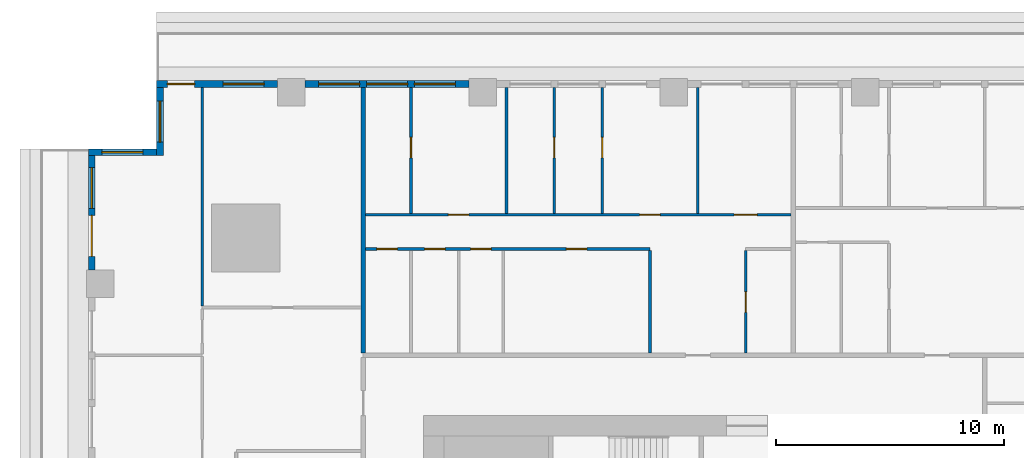
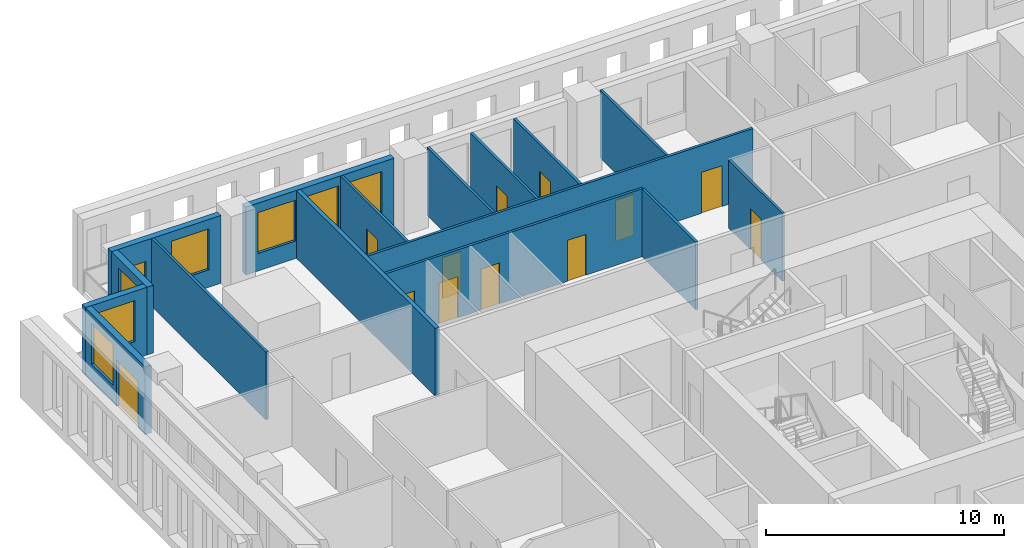
# One storey, part 7 of 15: 16 walls, 13 doors, 7 windows, 20 openings.
"""IFC4 building model written with IfcOpenShell, lengths in metres."""

from ifc_helpers import new_model, si_unit, direction, frame, frame_2d, origin, place, context, subcontext, project, spatial, rectangle, extrude, material, layer, layer_set, type_object, element, fill, save


model = new_model("IFC4")

# Units and contexts
model_context = context("Model", 3, precision=1e-05, world=origin(), true_north=direction((0.0, 1.0)))
body_context = subcontext(model_context, "Body", "Model", "MODEL_VIEW")
ifc_project = project(units=[si_unit("LENGTHUNIT", "METRE"), si_unit("AREAUNIT", "SQUARE_METRE"), si_unit("VOLUMEUNIT", "CUBIC_METRE"), si_unit("PLANEANGLEUNIT", "RADIAN"), si_unit("MASSUNIT", "GRAM", prefix="KILO")], contexts=[model_context])

# Site, building, storey
site_placement = place(None, origin())
site = spatial("IfcSite", under=ifc_project, at=site_placement, CompositionType="ELEMENT")
building_placement = place(site_placement, origin())
building = spatial("IfcBuilding", under=site, at=building_placement, Name="Khepri Terraces", CompositionType="ELEMENT")
storey_placement = place(building_placement, frame((0.0, 0.0, 42.60009765625)))
storey = spatial("IfcBuildingStorey", under=building, at=storey_placement, Name="L09", CompositionType="ELEMENT", Elevation=42.60009765625)

# Wall
ifc_material_1 = material(Name="Fire-rated gypsum plasterboard partition, mineral wool")
ifc_layer_1 = layer(ifc_material_1, 0.199951171875, Name="Fire-rated gypsum plasterboard partition, mineral wool")
ifc_layer_set_1 = layer_set([ifc_layer_1], Name="Fire-rated gypsum plasterboard partition, mineral wool")
wall_type_1 = type_object("IfcWallType", Name="WL-CORR-200", PredefinedType="PARTITIONING", material=ifc_layer_set_1)
wall_1_placement = place(storey_placement, frame((-13.64990234375, 13.75, 0.0), z_axis=(0.0, 0.0, 1.0), x_axis=(0.0, 1.0, 0.0)))
element("IfcWall", 1, at=wall_1_placement, inside=storey, type_object=wall_type_1, Name="Partition P-071 L09", PredefinedType="PARTITIONING", context=body_context, shape_type="SweptSolid", body=[
    extrude(rectangle(XDim=11.669921875, YDim=0.199951171875, at=frame_2d((5.8349609375, 0.0))), origin(), (0.0, 0.0, 1.0), 3.47998046875),
])

# Wall, openings, windows
ifc_material_2 = material(Name="Precast concrete C50/60 warm stone", Category="masonry")
ifc_layer_2 = layer(ifc_material_2, 0.300048828125, Name="Precast concrete C50/60 warm stone", Category="masonry")
ifc_layer_set_2 = layer_set([ifc_layer_2], Name="Precast concrete C50/60 warm stone")
wall_type_2 = type_object("IfcWallType", Name="WL-EXT-PRECAST-300", PredefinedType="STANDARD", material=ifc_layer_set_2)
wall_2_placement = place(storey_placement, frame((-9.0, 25.570068359375, 0.0), z_axis=(0.0, 0.0, 1.0), x_axis=(-1.0, 0.0, 0.0)))
wall_2 = element("IfcWall", 2, at=wall_2_placement, inside=storey, type_object=wall_type_2, Name="External wall L09 N", PredefinedType="STANDARD", context=body_context, shape_type="SweptSolid", body=[
    extrude(rectangle(XDim=7.199951171875, YDim=0.300048828125, at=frame_2d((3.60009765625, 0.0))), origin(), (0.0, 0.0, 1.0), 3.47998046875),
])
opening_1_placement = place(wall_2_placement, frame((0.60009765625, 0.0, 0.89990234375)))
opening_1 = element("IfcOpeningElement", 3, at=opening_1_placement, cuts=wall_2, Name="Opening W1", PredefinedType="OPENING", context=body_context, shape_type="SweptSolid", body=[
    extrude(rectangle(XDim=1.800048828125, YDim=2.10009765625, at=frame_2d((0.89990234375, 1.050048828125))), frame((0.0, 0.16015625, 0.0), z_axis=(0.0, -1.0, 0.0), x_axis=(1.0, 0.0, 0.0)), (0.0, 0.0, 1.0), 0.320068359375),
])
opening_2_placement = place(wall_2_placement, frame((2.699951171875, 0.0, 0.89990234375)))
opening_2 = element("IfcOpeningElement", 4, at=opening_2_placement, cuts=wall_2, Name="Opening W1", PredefinedType="OPENING", context=body_context, shape_type="SweptSolid", body=[
    extrude(rectangle(XDim=1.800048828125, YDim=2.10009765625, at=frame_2d((0.89990234375, 1.050048828125))), frame((0.0, 0.16015625, 0.0), z_axis=(0.0, -1.0, 0.0), x_axis=(1.0, 0.0, 0.0)), (0.0, 0.0, 1.0), 0.320068359375),
])
opening_3_placement = place(wall_2_placement, frame((4.800048828125, 0.0, 0.89990234375)))
opening_3 = element("IfcOpeningElement", 5, at=opening_3_placement, cuts=wall_2, Name="Opening W1", PredefinedType="OPENING", context=body_context, shape_type="SweptSolid", body=[
    extrude(rectangle(XDim=1.800048828125, YDim=2.10009765625, at=frame_2d((0.89990234375, 1.050048828125))), frame((0.0, 0.16015625, 0.0), z_axis=(0.0, -1.0, 0.0), x_axis=(1.0, 0.0, 0.0)), (0.0, 0.0, 1.0), 0.320068359375),
])
ifc_material_3 = material(Name="Clear glass", Category="glass")
window_type = type_object("IfcWindowType", Name="WIN-RES-1800x2100", PartitioningType="SINGLE_PANEL", PredefinedType="WINDOW", material=ifc_material_3)
window_1_placement = place(opening_1_placement, origin())
window_1 = element("IfcWindow", 6, at=window_1_placement, inside=storey, type_object=window_type, Name="Window L09 N", OverallHeight=2.10009765625, OverallWidth=1.800048828125, PartitioningType="SINGLE_PANEL", PredefinedType="WINDOW", context=body_context, shape_type="SweptSolid", body=[
    extrude(rectangle(XDim=1.800048828125, YDim=2.10009765625, at=frame_2d((0.89990234375, 1.050048828125))), frame((0.0, 0.030029296875, 0.0), z_axis=(0.0, -1.0, 0.0), x_axis=(1.0, 0.0, 0.0)), (0.0, 0.0, 1.0), 0.06005859375),
])
fill(opening_1, window_1)
window_2_placement = place(opening_2_placement, origin())
window_2 = element("IfcWindow", 7, at=window_2_placement, inside=storey, type_object=window_type, Name="Window L09 N", OverallHeight=2.10009765625, OverallWidth=1.800048828125, PartitioningType="SINGLE_PANEL", PredefinedType="WINDOW", context=body_context, shape_type="SweptSolid", body=[
    extrude(rectangle(XDim=1.800048828125, YDim=2.10009765625, at=frame_2d((0.89990234375, 1.050048828125))), frame((0.0, 0.030029296875, 0.0), z_axis=(0.0, -1.0, 0.0), x_axis=(1.0, 0.0, 0.0)), (0.0, 0.0, 1.0), 0.06005859375),
])
fill(opening_2, window_2)
window_3_placement = place(opening_3_placement, origin())
window_3 = element("IfcWindow", 8, at=window_3_placement, inside=storey, type_object=window_type, Name="Window L09 N", OverallHeight=2.10009765625, OverallWidth=1.800048828125, PartitioningType="SINGLE_PANEL", PredefinedType="WINDOW", context=body_context, shape_type="SweptSolid", body=[
    extrude(rectangle(XDim=1.800048828125, YDim=2.10009765625, at=frame_2d((0.89990234375, 1.050048828125))), frame((0.0, 0.030029296875, 0.0), z_axis=(0.0, -1.0, 0.0), x_axis=(1.0, 0.0, 0.0)), (0.0, 0.0, 1.0), 0.06005859375),
])
fill(opening_3, window_3)

# Wall, openings, door, window
wall_3_placement = place(storey_placement, frame((-17.39990234375, 25.570068359375, 0.0), z_axis=(0.0, 0.0, 1.0), x_axis=(-1.0, 0.0, 0.0)))
wall_3 = element("IfcWall", 9, at=wall_3_placement, inside=storey, type_object=wall_type_2, Name="External wall L09 N", PredefinedType="STANDARD", context=body_context, shape_type="SweptSolid", body=[
    extrude(rectangle(XDim=5.320068359375, YDim=0.300048828125, at=frame_2d((2.66015625, 0.0))), origin(), (0.0, 0.0, 1.0), 3.47998046875),
])
opening_4_placement = place(wall_3_placement, frame((0.60009765625, 0.0, 0.89990234375)))
opening_4 = element("IfcOpeningElement", 10, at=opening_4_placement, cuts=wall_3, Name="Opening W1", PredefinedType="OPENING", context=body_context, shape_type="SweptSolid", body=[
    extrude(rectangle(XDim=1.800048828125, YDim=2.10009765625, at=frame_2d((0.89990234375, 1.050048828125))), frame((0.0, 0.16015625, 0.0), z_axis=(0.0, -1.0, 0.0), x_axis=(1.0, 0.0, 0.0)), (0.0, 0.0, 1.0), 0.320068359375),
])
opening_5_placement = place(wall_3_placement, frame((3.64501953125, 0.0, 0.0)))
opening_5 = element("IfcOpeningElement", 11, at=opening_5_placement, cuts=wall_3, Name="Opening ED-L09-11", PredefinedType="OPENING", context=body_context, shape_type="SweptSolid", body=[
    extrude(rectangle(XDim=1.199951171875, YDim=2.39990234375, at=frame_2d((0.60009765625, 1.199951171875))), frame((0.0, 0.16015625, 0.0), z_axis=(0.0, -1.0, 0.0), x_axis=(1.0, 0.0, 0.0)), (0.0, 0.0, 1.0), 0.320068359375),
])
ifc_material_4 = material(Name="Anodised aluminium bronze glazed door", Category="aluminium")
door_type_1 = type_object("IfcDoorType", Name="DR-BAL-SLIDE-1200x2400", OperationType="NOTDEFINED", PredefinedType="DOOR", material=ifc_material_4)
door_1_placement = place(opening_5_placement, origin())
door_1 = element("IfcDoor", 12, at=door_1_placement, inside=storey, type_object=door_type_1, Name="Balcony door L09 N", OperationType="SLIDING_TO_RIGHT", OverallHeight=2.39990234375, OverallWidth=1.199951171875, PredefinedType="DOOR", context=body_context, shape_type="SweptSolid", body=[
    extrude(rectangle(XDim=1.199951171875, YDim=2.39990234375, at=frame_2d((0.60009765625, 1.199951171875))), frame((0.0, 0.02490234375, 0.0), z_axis=(0.0, -1.0, 0.0), x_axis=(1.0, 0.0, 0.0)), (0.0, 0.0, 1.0), 0.050048828125),
])
fill(opening_5, door_1)
window_4_placement = place(opening_4_placement, origin())
window_4 = element("IfcWindow", 13, at=window_4_placement, inside=storey, type_object=window_type, Name="Window L09 N", OverallHeight=2.10009765625, OverallWidth=1.800048828125, PartitioningType="SINGLE_PANEL", PredefinedType="WINDOW", context=body_context, shape_type="SweptSolid", body=[
    extrude(rectangle(XDim=1.800048828125, YDim=2.10009765625, at=frame_2d((0.89990234375, 1.050048828125))), frame((0.0, 0.030029296875, 0.0), z_axis=(0.0, -1.0, 0.0), x_axis=(1.0, 0.0, 0.0)), (0.0, 0.0, 1.0), 0.06005859375),
])
fill(opening_4, window_4)

# Wall, opening, window
wall_4_placement = place(storey_placement, frame((-22.570068359375, 25.419921875, 0.0), z_axis=(0.0, 0.0, 1.0), x_axis=(0.0, -1.0, 0.0)))
wall_4 = element("IfcWall", 14, at=wall_4_placement, inside=storey, type_object=wall_type_2, Name="External wall L09 W", PredefinedType="STANDARD", context=body_context, shape_type="SweptSolid", body=[
    extrude(rectangle(XDim=3.0, YDim=0.300048828125, at=frame_2d((1.5, 0.0))), origin(), (0.0, 0.0, 1.0), 3.47998046875),
])
opening_6_placement = place(wall_4_placement, frame((0.60009765625, 0.0, 0.89990234375)))
opening_6 = element("IfcOpeningElement", 15, at=opening_6_placement, cuts=wall_4, Name="Opening W1", PredefinedType="OPENING", context=body_context, shape_type="SweptSolid", body=[
    extrude(rectangle(XDim=1.800048828125, YDim=2.10009765625, at=frame_2d((0.89990234375, 1.050048828125))), frame((0.0, 0.16015625, 0.0), z_axis=(0.0, -1.0, 0.0), x_axis=(1.0, 0.0, 0.0)), (0.0, 0.0, 1.0), 0.320068359375),
])
window_5_placement = place(opening_6_placement, origin())
window_5 = element("IfcWindow", 16, at=window_5_placement, inside=storey, type_object=window_type, Name="Window L09 W", OverallHeight=2.10009765625, OverallWidth=1.800048828125, PartitioningType="SINGLE_PANEL", PredefinedType="WINDOW", context=body_context, shape_type="SweptSolid", body=[
    extrude(rectangle(XDim=1.800048828125, YDim=2.10009765625, at=frame_2d((0.89990234375, 1.050048828125))), frame((0.0, 0.030029296875, 0.0), z_axis=(0.0, -1.0, 0.0), x_axis=(1.0, 0.0, 0.0)), (0.0, 0.0, 1.0), 0.06005859375),
])
fill(opening_6, window_5)

wall_5_placement = place(storey_placement, frame((-22.719970703125, 22.570068359375, 0.0), z_axis=(0.0, 0.0, 1.0), x_axis=(-1.0, 0.0, 0.0)))
wall_5 = element("IfcWall", 17, at=wall_5_placement, inside=storey, type_object=wall_type_2, Name="External wall L09 N", PredefinedType="STANDARD", context=body_context, shape_type="SweptSolid", body=[
    extrude(rectangle(XDim=3.0, YDim=0.300048828125, at=frame_2d((1.5, 0.0))), origin(), (0.0, 0.0, 1.0), 3.47998046875),
])
opening_7_placement = place(wall_5_placement, frame((0.60009765625, 0.0, 0.89990234375)))
opening_7 = element("IfcOpeningElement", 18, at=opening_7_placement, cuts=wall_5, Name="Opening W1", PredefinedType="OPENING", context=body_context, shape_type="SweptSolid", body=[
    extrude(rectangle(XDim=1.800048828125, YDim=2.10009765625, at=frame_2d((0.89990234375, 1.050048828125))), frame((0.0, 0.16015625, 0.0), z_axis=(0.0, -1.0, 0.0), x_axis=(1.0, 0.0, 0.0)), (0.0, 0.0, 1.0), 0.320068359375),
])
window_6_placement = place(opening_7_placement, origin())
window_6 = element("IfcWindow", 19, at=window_6_placement, inside=storey, type_object=window_type, Name="Window L09 N", OverallHeight=2.10009765625, OverallWidth=1.800048828125, PartitioningType="SINGLE_PANEL", PredefinedType="WINDOW", context=body_context, shape_type="SweptSolid", body=[
    extrude(rectangle(XDim=1.800048828125, YDim=2.10009765625, at=frame_2d((0.89990234375, 1.050048828125))), frame((0.0, 0.030029296875, 0.0), z_axis=(0.0, -1.0, 0.0), x_axis=(1.0, 0.0, 0.0)), (0.0, 0.0, 1.0), 0.06005859375),
])
fill(opening_7, window_6)

# Wall, openings, door, window
wall_6_placement = place(storey_placement, frame((-25.570068359375, 22.419921875, 0.0), z_axis=(0.0, 0.0, 1.0), x_axis=(0.0, -1.0, 0.0)))
wall_6 = element("IfcWall", 20, at=wall_6_placement, inside=storey, type_object=wall_type_2, Name="External wall L09 W", PredefinedType="STANDARD", context=body_context, shape_type="SweptSolid", body=[
    extrude(rectangle(XDim=5.02001953125, YDim=0.300048828125, at=frame_2d((2.510009765625, 0.0))), origin(), (0.0, 0.0, 1.0), 3.47998046875),
])
opening_8_placement = place(wall_6_placement, frame((0.52001953125, 0.0, 0.89990234375)))
opening_8 = element("IfcOpeningElement", 21, at=opening_8_placement, cuts=wall_6, Name="Opening W1", PredefinedType="OPENING", context=body_context, shape_type="SweptSolid", body=[
    extrude(rectangle(XDim=1.800048828125, YDim=2.10009765625, at=frame_2d((0.89990234375, 1.050048828125))), frame((0.0, 0.16015625, 0.0), z_axis=(0.0, -1.0, 0.0), x_axis=(1.0, 0.0, 0.0)), (0.0, 0.0, 1.0), 0.320068359375),
])
opening_9_placement = place(wall_6_placement, frame((2.6201171875, 0.0, 0.0)))
opening_9 = element("IfcOpeningElement", 22, at=opening_9_placement, cuts=wall_6, Name="Opening ED-L09-12", PredefinedType="OPENING", context=body_context, shape_type="SweptSolid", body=[
    extrude(rectangle(XDim=1.800048828125, YDim=2.39990234375, at=frame_2d((0.89990234375, 1.199951171875))), frame((0.0, 0.16015625, 0.0), z_axis=(0.0, -1.0, 0.0), x_axis=(1.0, 0.0, 0.0)), (0.0, 0.0, 1.0), 0.320068359375),
])
door_type_2 = type_object("IfcDoorType", Name="DR-BAL-SLIDE-1800x2400", OperationType="NOTDEFINED", PredefinedType="DOOR", material=ifc_material_4)
door_2_placement = place(opening_9_placement, origin())
door_2 = element("IfcDoor", 23, at=door_2_placement, inside=storey, type_object=door_type_2, Name="Balcony door L09 W", OperationType="SLIDING_TO_RIGHT", OverallHeight=2.39990234375, OverallWidth=1.800048828125, PredefinedType="DOOR", context=body_context, shape_type="SweptSolid", body=[
    extrude(rectangle(XDim=1.800048828125, YDim=2.39990234375, at=frame_2d((0.89990234375, 1.199951171875))), frame((0.0, 0.02490234375, 0.0), z_axis=(0.0, -1.0, 0.0), x_axis=(1.0, 0.0, 0.0)), (0.0, 0.0, 1.0), 0.050048828125),
])
fill(opening_9, door_2)
window_7_placement = place(opening_8_placement, origin())
window_7 = element("IfcWindow", 24, at=window_7_placement, inside=storey, type_object=window_type, Name="Window L09 W", OverallHeight=2.10009765625, OverallWidth=1.800048828125, PartitioningType="SINGLE_PANEL", PredefinedType="WINDOW", context=body_context, shape_type="SweptSolid", body=[
    extrude(rectangle(XDim=1.800048828125, YDim=2.10009765625, at=frame_2d((0.89990234375, 1.050048828125))), frame((0.0, 0.030029296875, 0.0), z_axis=(0.0, -1.0, 0.0), x_axis=(1.0, 0.0, 0.0)), (0.0, 0.0, 1.0), 0.06005859375),
])
fill(opening_8, window_7)

# Wall
ifc_material_5 = material(Name="Gypsum plasterboard partition")
ifc_layer_3 = layer(ifc_material_5, 0.1201171875, Name="Gypsum plasterboard partition")
ifc_layer_set_3 = layer_set([ifc_layer_3], Name="Gypsum plasterboard partition")
wall_type_3 = type_object("IfcWallType", Name="WL-PART-120", PredefinedType="PARTITIONING", material=ifc_layer_set_3)
wall_7_placement = place(storey_placement, frame((-1.050048828125, 13.75, 0.0), z_axis=(0.0, 0.0, 1.0), x_axis=(0.0, 1.0, 0.0)))
element("IfcWall", 25, at=wall_7_placement, inside=storey, type_object=wall_type_3, Name="Partition P-075 L09", PredefinedType="PARTITIONING", context=body_context, shape_type="SweptSolid", body=[
    extrude(rectangle(XDim=4.510009765625, YDim=0.1201171875, at=frame_2d((2.2548828125, 0.0))), origin(), (0.0, 0.0, 1.0), 3.47998046875),
])

# Wall, opening, door
wall_8_placement = place(storey_placement, frame((3.14990234375, 13.75, 0.0), z_axis=(0.0, 0.0, 1.0), x_axis=(0.0, 1.0, 0.0)))
wall_8 = element("IfcWall", 26, at=wall_8_placement, inside=storey, type_object=wall_type_3, Name="Partition P-076 L09", PredefinedType="PARTITIONING", context=body_context, shape_type="SweptSolid", body=[
    extrude(rectangle(XDim=4.510009765625, YDim=0.1201171875, at=frame_2d((2.2548828125, 0.0))), origin(), (0.0, 0.0, 1.0), 3.47998046875),
])
opening_10_placement = place(wall_8_placement, frame((1.784912109375, 0.0, 0.0)))
opening_10 = element("IfcOpeningElement", 27, at=opening_10_placement, cuts=wall_8, Name="Opening D3", PredefinedType="OPENING", context=body_context, shape_type="SweptSolid", body=[
    extrude(rectangle(XDim=0.89990234375, YDim=2.10009765625, at=frame_2d((0.449951171875, 1.050048828125))), frame((0.0, 0.070068359375, 0.0), z_axis=(0.0, -1.0, 0.0), x_axis=(1.0, 0.0, 0.0)), (0.0, 0.0, 1.0), 0.14013671875),
])
ifc_material_6 = material(Name="Timber door leaf", Category="wood")
door_type_3 = type_object("IfcDoorType", Name="DR-INT-900", OperationType="NOTDEFINED", PredefinedType="DOOR", material=ifc_material_6)
door_3_placement = place(opening_10_placement, frame((0.89990234375, 0.0, 0.0), z_axis=(0.0, 0.0, 1.0), x_axis=(-1.0, 0.0, 0.0)))
door_3 = element("IfcDoor", 28, at=door_3_placement, inside=storey, type_object=door_type_3, Name="Door Utility Room", OperationType="SINGLE_SWING_RIGHT", OverallHeight=2.10009765625, OverallWidth=0.89990234375, PredefinedType="DOOR", context=body_context, shape_type="SweptSolid", body=[
    extrude(rectangle(XDim=0.89990234375, YDim=2.10009765625, at=frame_2d((0.449951171875, 1.050048828125))), frame((0.0, 0.02490234375, 0.0), z_axis=(0.0, -1.0, 0.0), x_axis=(1.0, 0.0, 0.0)), (0.0, 0.0, 1.0), 0.050048828125),
])
fill(opening_10, door_3)

# Wall
wall_9_placement = place(storey_placement, frame((-20.719970703125, 15.81005859375, 0.0), z_axis=(0.0, 0.0, 1.0), x_axis=(0.0, 1.0, 0.0)))
element("IfcWall", 29, at=wall_9_placement, inside=storey, type_object=wall_type_3, Name="Partition P-082 L09", PredefinedType="PARTITIONING", context=body_context, shape_type="SweptSolid", body=[
    extrude(rectangle(XDim=9.60986328125, YDim=0.1201171875, at=frame_2d((4.804931640625, 0.0))), origin(), (0.0, 0.0, 1.0), 3.47998046875),
])

# Wall, openings, doors
wall_10_placement = place(storey_placement, frame((-13.550048828125, 18.320068359375, 0.0), z_axis=(0.0, 0.0, 1.0), x_axis=(1.0, 0.0, 0.0)))
wall_10 = element("IfcWall", 30, at=wall_10_placement, inside=storey, type_object=wall_type_3, Name="Partition P-083 L09", PredefinedType="PARTITIONING", context=body_context, shape_type="SweptSolid", body=[
    extrude(rectangle(XDim=12.5, YDim=0.1201171875, at=frame_2d((6.25, 0.0))), origin(), (0.0, 0.0, 1.0), 3.47998046875),
])
opening_11_placement = place(wall_10_placement, frame((8.824951171875, 0.0, 0.0)))
opening_11 = element("IfcOpeningElement", 31, at=opening_11_placement, cuts=wall_10, Name="Opening D3", PredefinedType="OPENING", context=body_context, shape_type="SweptSolid", body=[
    extrude(rectangle(XDim=0.89990234375, YDim=2.10009765625, at=frame_2d((0.449951171875, 1.050048828125))), frame((0.0, 0.070068359375, 0.0), z_axis=(0.0, -1.0, 0.0), x_axis=(1.0, 0.0, 0.0)), (0.0, 0.0, 1.0), 0.14013671875),
])
opening_12_placement = place(wall_10_placement, frame((4.625, 0.0, 0.0)))
opening_12 = element("IfcOpeningElement", 32, at=opening_12_placement, cuts=wall_10, Name="Opening D4", PredefinedType="OPENING", context=body_context, shape_type="SweptSolid", body=[
    extrude(rectangle(XDim=0.89990234375, YDim=2.10009765625, at=frame_2d((0.449951171875, 1.050048828125))), frame((0.0, 0.070068359375, 0.0), z_axis=(0.0, -1.0, 0.0), x_axis=(1.0, 0.0, 0.0)), (0.0, 0.0, 1.0), 0.14013671875),
])
opening_13_placement = place(wall_10_placement, frame((2.60009765625, 0.0, 0.0)))
opening_13 = element("IfcOpeningElement", 33, at=opening_13_placement, cuts=wall_10, Name="Opening D4", PredefinedType="OPENING", context=body_context, shape_type="SweptSolid", body=[
    extrude(rectangle(XDim=0.89990234375, YDim=2.10009765625, at=frame_2d((0.449951171875, 1.050048828125))), frame((0.0, 0.070068359375, 0.0), z_axis=(0.0, -1.0, 0.0), x_axis=(1.0, 0.0, 0.0)), (0.0, 0.0, 1.0), 0.14013671875),
])
opening_14_placement = place(wall_10_placement, frame((0.5, 0.0, 0.0)))
opening_14 = element("IfcOpeningElement", 34, at=opening_14_placement, cuts=wall_10, Name="Opening D3", PredefinedType="OPENING", context=body_context, shape_type="SweptSolid", body=[
    extrude(rectangle(XDim=0.89990234375, YDim=2.10009765625, at=frame_2d((0.449951171875, 1.050048828125))), frame((0.0, 0.070068359375, 0.0), z_axis=(0.0, -1.0, 0.0), x_axis=(1.0, 0.0, 0.0)), (0.0, 0.0, 1.0), 0.14013671875),
])
door_4_placement = place(opening_11_placement, frame((0.89990234375, 0.0, 0.0), z_axis=(0.0, 0.0, 1.0), x_axis=(-1.0, 0.0, 0.0)))
door_4 = element("IfcDoor", 35, at=door_4_placement, inside=storey, type_object=door_type_3, Name="Door Kitchen", OperationType="SINGLE_SWING_LEFT", OverallHeight=2.10009765625, OverallWidth=0.89990234375, PredefinedType="DOOR", context=body_context, shape_type="SweptSolid", body=[
    extrude(rectangle(XDim=0.89990234375, YDim=2.10009765625, at=frame_2d((0.449951171875, 1.050048828125))), frame((0.0, 0.02490234375, 0.0), z_axis=(0.0, -1.0, 0.0), x_axis=(1.0, 0.0, 0.0)), (0.0, 0.0, 1.0), 0.050048828125),
])
fill(opening_11, door_4)
door_5_placement = place(opening_14_placement, frame((0.89990234375, 0.0, 0.0), z_axis=(0.0, 0.0, 1.0), x_axis=(-1.0, 0.0, 0.0)))
door_5 = element("IfcDoor", 36, at=door_5_placement, inside=storey, type_object=door_type_3, Name="Door Utility Room", OperationType="SINGLE_SWING_RIGHT", OverallHeight=2.10009765625, OverallWidth=0.89990234375, PredefinedType="DOOR", context=body_context, shape_type="SweptSolid", body=[
    extrude(rectangle(XDim=0.89990234375, YDim=2.10009765625, at=frame_2d((0.449951171875, 1.050048828125))), frame((0.0, 0.02490234375, 0.0), z_axis=(0.0, -1.0, 0.0), x_axis=(1.0, 0.0, 0.0)), (0.0, 0.0, 1.0), 0.050048828125),
])
fill(opening_14, door_5)
ifc_material_7 = material(Name="Timber door leaf, moisture resistant", Category="wood")
door_type_4 = type_object("IfcDoorType", Name="DR-WET-900", OperationType="NOTDEFINED", PredefinedType="DOOR", material=ifc_material_7)
door_6_placement = place(opening_12_placement, frame((0.89990234375, 0.0, 0.0), z_axis=(0.0, 0.0, 1.0), x_axis=(-1.0, 0.0, 0.0)))
door_6 = element("IfcDoor", 37, at=door_6_placement, inside=storey, type_object=door_type_4, Name="Door Powder Room", OperationType="SINGLE_SWING_RIGHT", OverallHeight=2.10009765625, OverallWidth=0.89990234375, PredefinedType="DOOR", context=body_context, shape_type="SweptSolid", body=[
    extrude(rectangle(XDim=0.89990234375, YDim=2.10009765625, at=frame_2d((0.449951171875, 1.050048828125))), frame((0.0, 0.02490234375, 0.0), z_axis=(0.0, -1.0, 0.0), x_axis=(1.0, 0.0, 0.0)), (0.0, 0.0, 1.0), 0.050048828125),
])
fill(opening_12, door_6)
door_7_placement = place(opening_13_placement, frame((0.89990234375, 0.0, 0.0), z_axis=(0.0, 0.0, 1.0), x_axis=(-1.0, 0.0, 0.0)))
door_7 = element("IfcDoor", 38, at=door_7_placement, inside=storey, type_object=door_type_4, Name="Door Guest Bathroom", OperationType="SINGLE_SWING_RIGHT", OverallHeight=2.10009765625, OverallWidth=0.89990234375, PredefinedType="DOOR", context=body_context, shape_type="SweptSolid", body=[
    extrude(rectangle(XDim=0.89990234375, YDim=2.10009765625, at=frame_2d((0.449951171875, 1.050048828125))), frame((0.0, 0.02490234375, 0.0), z_axis=(0.0, -1.0, 0.0), x_axis=(1.0, 0.0, 0.0)), (0.0, 0.0, 1.0), 0.050048828125),
])
fill(opening_13, door_7)

wall_11_placement = place(storey_placement, frame((-13.550048828125, 19.820068359375, 0.0), z_axis=(0.0, 0.0, 1.0), x_axis=(1.0, 0.0, 0.0)))
wall_11 = element("IfcWall", 39, at=wall_11_placement, inside=storey, type_object=wall_type_3, Name="Partition P-086 L09", PredefinedType="PARTITIONING", context=body_context, shape_type="SweptSolid", body=[
    extrude(rectangle(XDim=18.699951171875, YDim=0.1201171875, at=frame_2d((9.35009765625, 0.0))), origin(), (0.0, 0.0, 1.0), 3.47998046875),
])
opening_15_placement = place(wall_11_placement, frame((16.199951171875, 0.0, 0.0)))
opening_15 = element("IfcOpeningElement", 40, at=opening_15_placement, cuts=wall_11, Name="Opening D2", PredefinedType="OPENING", context=body_context, shape_type="SweptSolid", body=[
    extrude(rectangle(XDim=1.0, YDim=2.10009765625, at=frame_2d((0.5, 1.050048828125))), frame((0.0, 0.070068359375, 0.0), z_axis=(0.0, -1.0, 0.0), x_axis=(1.0, 0.0, 0.0)), (0.0, 0.0, 1.0), 0.14013671875),
])
opening_16_placement = place(wall_11_placement, frame((12.050048828125, 0.0, 0.0)))
opening_16 = element("IfcOpeningElement", 41, at=opening_16_placement, cuts=wall_11, Name="Opening D3", PredefinedType="OPENING", context=body_context, shape_type="SweptSolid", body=[
    extrude(rectangle(XDim=0.89990234375, YDim=2.10009765625, at=frame_2d((0.449951171875, 1.050048828125))), frame((0.0, 0.070068359375, 0.0), z_axis=(0.0, -1.0, 0.0), x_axis=(1.0, 0.0, 0.0)), (0.0, 0.0, 1.0), 0.14013671875),
])
opening_17_placement = place(wall_11_placement, frame((3.64990234375, 0.0, 0.0)))
opening_17 = element("IfcOpeningElement", 42, at=opening_17_placement, cuts=wall_11, Name="Opening D3", PredefinedType="OPENING", context=body_context, shape_type="SweptSolid", body=[
    extrude(rectangle(XDim=0.89990234375, YDim=2.10009765625, at=frame_2d((0.449951171875, 1.050048828125))), frame((0.0, 0.070068359375, 0.0), z_axis=(0.0, -1.0, 0.0), x_axis=(1.0, 0.0, 0.0)), (0.0, 0.0, 1.0), 0.14013671875),
])
ifc_material_8 = material(Name="Timber door leaf, living room door", Category="wood")
door_type_5 = type_object("IfcDoorType", Name="DR-INT-1000", OperationType="NOTDEFINED", PredefinedType="DOOR", material=ifc_material_8)
door_8_placement = place(opening_15_placement, origin())
door_8 = element("IfcDoor", 43, at=door_8_placement, inside=storey, type_object=door_type_5, Name="Door Sun Lounge", OperationType="SINGLE_SWING_RIGHT", OverallHeight=2.10009765625, OverallWidth=1.0, PredefinedType="DOOR", context=body_context, shape_type="SweptSolid", body=[
    extrude(rectangle(XDim=1.0, YDim=2.10009765625, at=frame_2d((0.5, 1.050048828125))), frame((0.0, 0.02490234375, 0.0), z_axis=(0.0, -1.0, 0.0), x_axis=(1.0, 0.0, 0.0)), (0.0, 0.0, 1.0), 0.050048828125),
])
fill(opening_15, door_8)
door_9_placement = place(opening_16_placement, origin())
door_9 = element("IfcDoor", 44, at=door_9_placement, inside=storey, type_object=door_type_3, Name="Door Master Bedroom", OperationType="SINGLE_SWING_RIGHT", OverallHeight=2.10009765625, OverallWidth=0.89990234375, PredefinedType="DOOR", context=body_context, shape_type="SweptSolid", body=[
    extrude(rectangle(XDim=0.89990234375, YDim=2.10009765625, at=frame_2d((0.449951171875, 1.050048828125))), frame((0.0, 0.02490234375, 0.0), z_axis=(0.0, -1.0, 0.0), x_axis=(1.0, 0.0, 0.0)), (0.0, 0.0, 1.0), 0.050048828125),
])
fill(opening_16, door_9)
door_10_placement = place(opening_17_placement, origin())
door_10 = element("IfcDoor", 45, at=door_10_placement, inside=storey, type_object=door_type_3, Name="Door Bedroom", OperationType="SINGLE_SWING_LEFT", OverallHeight=2.10009765625, OverallWidth=0.89990234375, PredefinedType="DOOR", context=body_context, shape_type="SweptSolid", body=[
    extrude(rectangle(XDim=0.89990234375, YDim=2.10009765625, at=frame_2d((0.449951171875, 1.050048828125))), frame((0.0, 0.02490234375, 0.0), z_axis=(0.0, -1.0, 0.0), x_axis=(1.0, 0.0, 0.0)), (0.0, 0.0, 1.0), 0.050048828125),
])
fill(opening_17, door_10)

# Wall, opening, door
wall_12_placement = place(storey_placement, frame((-11.550048828125, 19.8798828125, 0.0), z_axis=(0.0, 0.0, 1.0), x_axis=(0.0, 1.0, 0.0)))
wall_12 = element("IfcWall", 46, at=wall_12_placement, inside=storey, type_object=wall_type_3, Name="Partition P-087 L09", PredefinedType="PARTITIONING", context=body_context, shape_type="SweptSolid", body=[
    extrude(rectangle(XDim=5.5400390625, YDim=0.1201171875, at=frame_2d((2.77001953125, 0.0))), origin(), (0.0, 0.0, 1.0), 3.47998046875),
])
opening_18_placement = place(wall_12_placement, frame((2.43994140625, 0.0, 0.0)))
opening_18 = element("IfcOpeningElement", 47, at=opening_18_placement, cuts=wall_12, Name="Opening D4", PredefinedType="OPENING", context=body_context, shape_type="SweptSolid", body=[
    extrude(rectangle(XDim=0.89990234375, YDim=2.10009765625, at=frame_2d((0.449951171875, 1.050048828125))), frame((0.0, 0.070068359375, 0.0), z_axis=(0.0, -1.0, 0.0), x_axis=(1.0, 0.0, 0.0)), (0.0, 0.0, 1.0), 0.14013671875),
])
door_11_placement = place(opening_18_placement, origin())
door_11 = element("IfcDoor", 48, at=door_11_placement, inside=storey, type_object=door_type_4, Name="Door Bathroom", OperationType="SINGLE_SWING_RIGHT", OverallHeight=2.10009765625, OverallWidth=0.89990234375, PredefinedType="DOOR", context=body_context, shape_type="SweptSolid", body=[
    extrude(rectangle(XDim=0.89990234375, YDim=2.10009765625, at=frame_2d((0.449951171875, 1.050048828125))), frame((0.0, 0.02490234375, 0.0), z_axis=(0.0, -1.0, 0.0), x_axis=(1.0, 0.0, 0.0)), (0.0, 0.0, 1.0), 0.050048828125),
])
fill(opening_18, door_11)

# Wall
wall_13_placement = place(storey_placement, frame((-7.35009765625, 19.8798828125, 0.0), z_axis=(0.0, 0.0, 1.0), x_axis=(0.0, 1.0, 0.0)))
element("IfcWall", 49, at=wall_13_placement, inside=storey, type_object=wall_type_3, Name="Partition P-088 L09", PredefinedType="PARTITIONING", context=body_context, shape_type="SweptSolid", body=[
    extrude(rectangle(XDim=5.5400390625, YDim=0.1201171875, at=frame_2d((2.77001953125, 0.0))), origin(), (0.0, 0.0, 1.0), 3.47998046875),
])

# Wall, opening, door
wall_14_placement = place(storey_placement, frame((-5.25, 19.8798828125, 0.0), z_axis=(0.0, 0.0, 1.0), x_axis=(0.0, 1.0, 0.0)))
wall_14 = element("IfcWall", 50, at=wall_14_placement, inside=storey, type_object=wall_type_3, Name="Partition P-089 L09", PredefinedType="PARTITIONING", context=body_context, shape_type="SweptSolid", body=[
    extrude(rectangle(XDim=5.5400390625, YDim=0.1201171875, at=frame_2d((2.77001953125, 0.0))), origin(), (0.0, 0.0, 1.0), 3.47998046875),
])
opening_19_placement = place(wall_14_placement, frame((2.43994140625, 0.0, 0.0)))
opening_19 = element("IfcOpeningElement", 51, at=opening_19_placement, cuts=wall_14, Name="Opening D4", PredefinedType="OPENING", context=body_context, shape_type="SweptSolid", body=[
    extrude(rectangle(XDim=0.89990234375, YDim=2.10009765625, at=frame_2d((0.449951171875, 1.050048828125))), frame((0.0, 0.070068359375, 0.0), z_axis=(0.0, -1.0, 0.0), x_axis=(1.0, 0.0, 0.0)), (0.0, 0.0, 1.0), 0.14013671875),
])
door_12_placement = place(opening_19_placement, origin())
door_12 = element("IfcDoor", 52, at=door_12_placement, inside=storey, type_object=door_type_4, Name="Door Bathroom", OperationType="SINGLE_SWING_RIGHT", OverallHeight=2.10009765625, OverallWidth=0.89990234375, PredefinedType="DOOR", context=body_context, shape_type="SweptSolid", body=[
    extrude(rectangle(XDim=0.89990234375, YDim=2.10009765625, at=frame_2d((0.449951171875, 1.050048828125))), frame((0.0, 0.02490234375, 0.0), z_axis=(0.0, -1.0, 0.0), x_axis=(1.0, 0.0, 0.0)), (0.0, 0.0, 1.0), 0.050048828125),
])
fill(opening_19, door_12)

wall_15_placement = place(storey_placement, frame((-3.14990234375, 19.8798828125, 0.0), z_axis=(0.0, 0.0, 1.0), x_axis=(0.0, 1.0, 0.0)))
wall_15 = element("IfcWall", 53, at=wall_15_placement, inside=storey, type_object=wall_type_3, Name="Partition P-090 L09", PredefinedType="PARTITIONING", context=body_context, shape_type="SweptSolid", body=[
    extrude(rectangle(XDim=5.5400390625, YDim=0.1201171875, at=frame_2d((2.77001953125, 0.0))), origin(), (0.0, 0.0, 1.0), 3.47998046875),
])
opening_20_placement = place(wall_15_placement, frame((2.43994140625, 0.0, 0.0)))
opening_20 = element("IfcOpeningElement", 54, at=opening_20_placement, cuts=wall_15, Name="Opening D3", PredefinedType="OPENING", context=body_context, shape_type="SweptSolid", body=[
    extrude(rectangle(XDim=0.89990234375, YDim=2.10009765625, at=frame_2d((0.449951171875, 1.050048828125))), frame((0.0, 0.070068359375, 0.0), z_axis=(0.0, -1.0, 0.0), x_axis=(1.0, 0.0, 0.0)), (0.0, 0.0, 1.0), 0.14013671875),
])
door_13_placement = place(opening_20_placement, origin())
door_13 = element("IfcDoor", 55, at=door_13_placement, inside=storey, type_object=door_type_3, Name="Door Dressing Room", OperationType="SINGLE_SWING_RIGHT", OverallHeight=2.10009765625, OverallWidth=0.89990234375, PredefinedType="DOOR", context=body_context, shape_type="SweptSolid", body=[
    extrude(rectangle(XDim=0.89990234375, YDim=2.10009765625, at=frame_2d((0.449951171875, 1.050048828125))), frame((0.0, 0.02490234375, 0.0), z_axis=(0.0, -1.0, 0.0), x_axis=(1.0, 0.0, 0.0)), (0.0, 0.0, 1.0), 0.050048828125),
])
fill(opening_20, door_13)

# Wall
wall_16_placement = place(storey_placement, frame((1.050048828125, 19.8798828125, 0.0), z_axis=(0.0, 0.0, 1.0), x_axis=(0.0, 1.0, 0.0)))
element("IfcWall", 56, at=wall_16_placement, inside=storey, type_object=wall_type_3, Name="Partition P-091 L09", PredefinedType="PARTITIONING", context=body_context, shape_type="SweptSolid", body=[
    extrude(rectangle(XDim=5.5400390625, YDim=0.1201171875, at=frame_2d((2.77001953125, 0.0))), origin(), (0.0, 0.0, 1.0), 3.47998046875),
])

save(model, "model.ifc")
